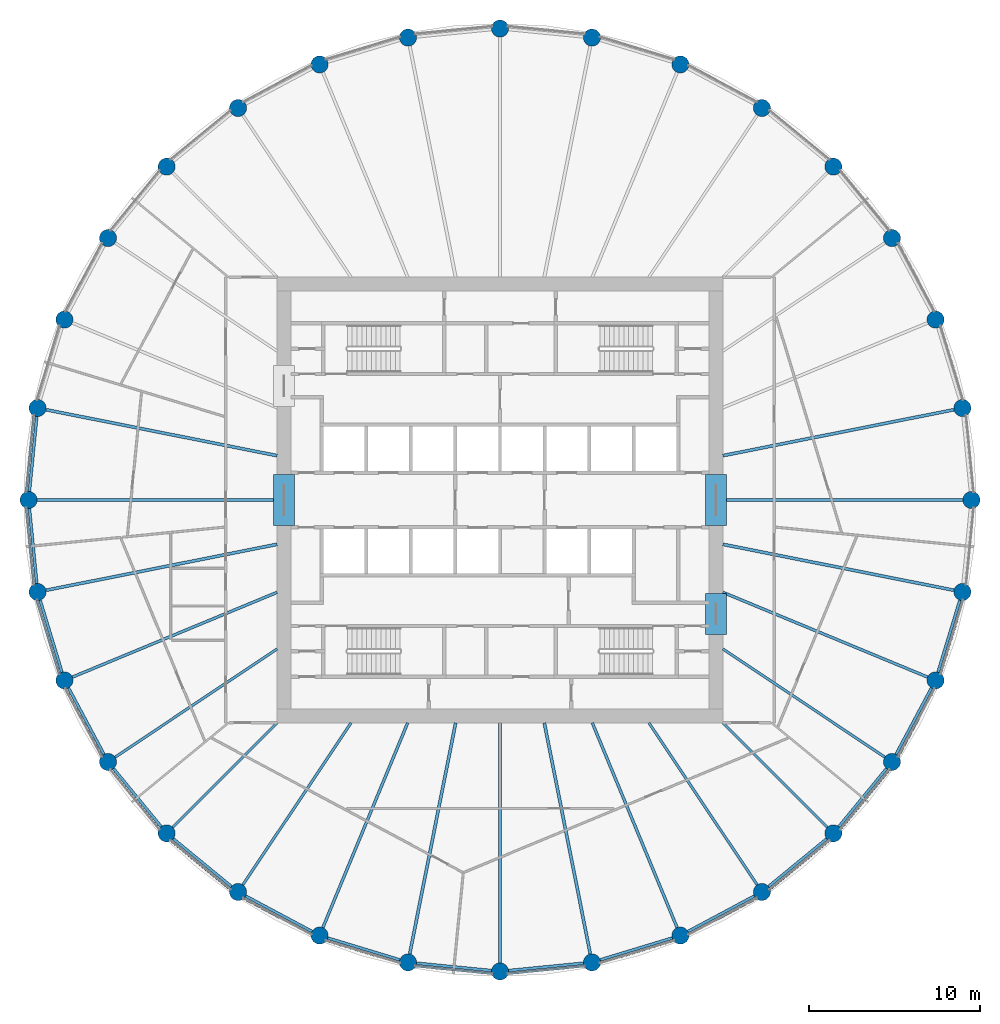
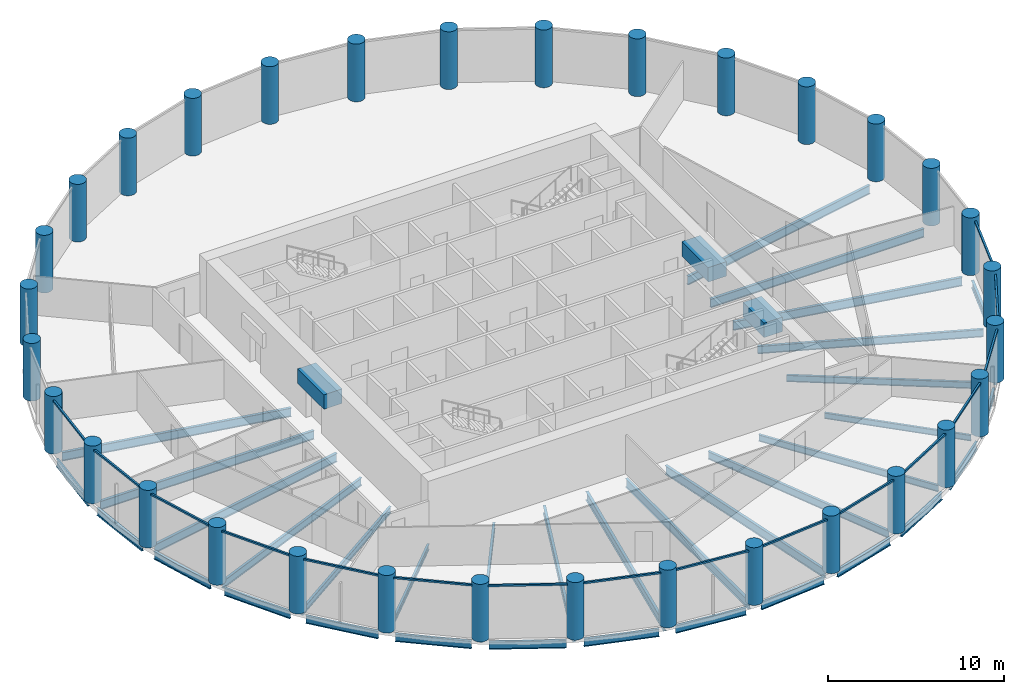
# One storey, part 1 of 9: 38 beams, 32 columns, 16 members, 16 elements without a shape of their own.
"""IFC4 building model written with IfcOpenShell, lengths in metres."""

from ifc_helpers import new_model, si_unit, direction, frame, origin, origin_2d, place, context, subcontext, project, spatial, rectangle, circle, i_section, extrude, material, material_profile, profile_set, type_object, element, aggregate, save


model = new_model("IFC4")

# Units and contexts
model_context = context("Model", 3, precision=1e-05, world=origin(), true_north=direction((0.0, 1.0)))
body_context = subcontext(model_context, "Body", "Model", "MODEL_VIEW")
ifc_project = project(units=[si_unit("LENGTHUNIT", "METRE"), si_unit("AREAUNIT", "SQUARE_METRE"), si_unit("VOLUMEUNIT", "CUBIC_METRE"), si_unit("PLANEANGLEUNIT", "RADIAN"), si_unit("MASSUNIT", "GRAM", prefix="KILO")], contexts=[model_context])

# Site, building, storey
site_placement = place(None, origin())
site = spatial("IfcSite", under=ifc_project, at=site_placement, CompositionType="ELEMENT")
building_placement = place(site_placement, origin())
building = spatial("IfcBuilding", under=site, at=building_placement, Name="Corvane Civic Tower", CompositionType="ELEMENT")
storey_placement = place(building_placement, frame((0.0, 0.0, 221.5)))
storey = spatial("IfcBuildingStorey", under=building, at=storey_placement, Name="L52", CompositionType="ELEMENT", Elevation=221.5)

# Columns
ifc_material_1 = material(Name="Concrete C60/75", Category="concrete")
ifc_material_profile_1 = material_profile(ifc_material_1, circle(Radius=0.5, at=origin_2d()), Name="COLUMN 1000")
ifc_profile_set_1 = profile_set([ifc_material_profile_1], Name="Concrete C60/75")
column_type = type_object("IfcColumnType", Name="RC COLUMN COLUMN 1000", PredefinedType="COLUMN", material=ifc_profile_set_1)
for number, where, z_axis, x_axis, name in (
    (1, (0.0, 27.5, 0.0), (0.0, 0.0, 1.0), (1.0, 0.0, 0.0), "COL-L52-D01"),
    (2, (5.364990234375, 26.9716796875, 0.0), (0.0, 0.0, 1.0), (1.0, 0.0, 0.0), "COL-L52-D02"),
    (3, (10.523681640625, 25.40673828125, 0.0), (0.0, 0.0, 1.0), (1.0, 0.0, 0.0), "COL-L52-D03"),
    (4, (15.278076171875, 22.865478515625, 0.0), (0.0, 0.0, 1.0), (1.0, 0.0, 0.0), "COL-L52-D04"),
    (5, (19.445556640625, 19.445556640625, 0.0), (0.0, 0.0, 1.0), (1.0, 0.0, 0.0), "COL-L52-D05"),
    (6, (22.865478515625, 15.278076171875, 0.0), (0.0, 0.0, 1.0), (1.0, 0.0, 0.0), "COL-L52-D06"),
    (7, (25.40673828125, 10.523681640625, 0.0), (0.0, 0.0, 1.0), (1.0, 0.0, 0.0), "COL-L52-D07"),
    (8, (26.9716796875, 5.364990234375, 0.0), (0.0, 0.0, 1.0), (1.0, 0.0, 0.0), "COL-L52-D08"),
    (9, (27.5, 0.0, 0.0), (0.0, 0.0, 1.0), (1.0, 0.0, 0.0), "COL-L52-D09"),
    (10, (26.9716796875, -5.364990234375, 0.0), (0.0, 0.0, 1.0), (1.0, 0.0, 0.0), "COL-L52-D10"),
    (11, (25.40673828125, -10.523681640625, 0.0), (0.0, 0.0, 1.0), (1.0, 0.0, 0.0), "COL-L52-D11"),
    (12, (22.865478515625, -15.278076171875, 0.0), (0.0, 0.0, 1.0), (1.0, 0.0, 0.0), "COL-L52-D12"),
    (13, (19.445556640625, -19.445556640625, 0.0), (0.0, 0.0, 1.0), (1.0, 0.0, 0.0), "COL-L52-D13"),
    (14, (15.278076171875, -22.865478515625, 0.0), (0.0, 0.0, 1.0), (1.0, 0.0, 0.0), "COL-L52-D14"),
    (15, (10.523681640625, -25.40673828125, 0.0), (0.0, 0.0, 1.0), (1.0, 0.0, 0.0), "COL-L52-D15"),
    (16, (5.364990234375, -26.9716796875, 0.0), (0.0, 0.0, 1.0), (1.0, 0.0, 0.0), "COL-L52-D16"),
    (17, (0.0, -27.5, 0.0), (0.0, 0.0, 1.0), (1.0, 0.0, 0.0), "COL-L52-D17"),
    (18, (-5.364990234375, -26.9716796875, 0.0), (0.0, 0.0, 1.0), (1.0, 0.0, 0.0), "COL-L52-D18"),
    (19, (-10.523681640625, -25.40673828125, 0.0), (0.0, 0.0, 1.0), (1.0, 0.0, 0.0), "COL-L52-D19"),
    (20, (-15.278076171875, -22.865478515625, 0.0), (0.0, 0.0, 1.0), (1.0, 0.0, 0.0), "COL-L52-D20"),
    (21, (-19.445556640625, -19.445556640625, 0.0), (0.0, 0.0, 1.0), (1.0, 0.0, 0.0), "COL-L52-D21"),
    (22, (-22.865478515625, -15.278076171875, 0.0), (0.0, 0.0, 1.0), (1.0, 0.0, 0.0), "COL-L52-D22"),
    (23, (-25.40673828125, -10.523681640625, 0.0), (0.0, 0.0, 1.0), (1.0, 0.0, 0.0), "COL-L52-D23"),
    (24, (-26.9716796875, -5.364990234375, 0.0), (0.0, 0.0, 1.0), (1.0, 0.0, 0.0), "COL-L52-D24"),
    (25, (-27.5, 0.0, 0.0), (0.0, 0.0, 1.0), (1.0, 0.0, 0.0), "COL-L52-D25"),
    (26, (-26.9716796875, 5.364990234375, 0.0), (0.0, 0.0, 1.0), (1.0, 0.0, 0.0), "COL-L52-D26"),
    (27, (-25.40673828125, 10.523681640625, 0.0), (0.0, 0.0, 1.0), (1.0, 0.0, 0.0), "COL-L52-D27"),
    (28, (-22.865478515625, 15.278076171875, 0.0), (0.0, 0.0, 1.0), (1.0, 0.0, 0.0), "COL-L52-D28"),
    (29, (-19.445556640625, 19.445556640625, 0.0), (0.0, 0.0, 1.0), (1.0, 0.0, 0.0), "COL-L52-D29"),
    (30, (-15.278076171875, 22.865478515625, 0.0), (0.0, 0.0, 1.0), (1.0, 0.0, 0.0), "COL-L52-D30"),
    (31, (-10.523681640625, 25.40673828125, 0.0), (0.0, 0.0, 1.0), (1.0, 0.0, 0.0), "COL-L52-D31"),
    (32, (-5.364990234375, 26.9716796875, 0.0), (0.0, 0.0, 1.0), (1.0, 0.0, 0.0), "COL-L52-D32"),
):
    element("IfcColumn", number, at=place(storey_placement, frame(where, z_axis=z_axis, x_axis=x_axis)), inside=storey, type_object=column_type, Name=name, PredefinedType="COLUMN", context=body_context, shape_type="SweptSolid", body=[
        extrude(circle(Radius=0.5, at=origin_2d()), origin(), (0.0, 0.0, 1.0), 4.0),
    ])

# Beams
ifc_material_2 = material(Name="Concrete C50/60", Category="concrete")
ifc_material_profile_2 = material_profile(ifc_material_2, rectangle(XDim=1.199951171875, YDim=1.0, at=origin_2d()), Name="COUPLING BEAM 1200X1000")
ifc_profile_set_2 = profile_set([ifc_material_profile_2], Name="Concrete C50/60")
beam_type_1 = type_object("IfcBeamType", Name="COUPLING BEAM COUPLING BEAM 1200X1000", PredefinedType="BEAM", material=ifc_profile_set_2)
for number, where, z_axis, x_axis, name in (
    (33, (-12.60009765625, -1.5, 2.60009765625), (0.0, 1.0, 0.0), (-1.0, 0.0, 0.0), "BM-L52-cpl-CW-LW"),
    (34, (12.60009765625, -1.5, 2.60009765625), (0.0, 1.0, 0.0), (-1.0, 0.0, 0.0), "BM-L52-cpl-CW-LE"),
):
    element("IfcBeam", number, at=place(storey_placement, frame(where, z_axis=z_axis, x_axis=x_axis)), inside=storey, type_object=beam_type_1, Name=name, PredefinedType="BEAM", context=body_context, shape_type="SweptSolid", body=[
        extrude(rectangle(XDim=1.199951171875, YDim=1.0, at=origin_2d()), origin(), (0.0, 0.0, 1.0), 3.0),
    ])
beam_1_placement = place(storey_placement, frame((12.60009765625, -7.85009765625, 2.60009765625), z_axis=(0.0, 1.0, 0.0), x_axis=(-1.0, 0.0, 0.0)))
element("IfcBeam", 35, at=beam_1_placement, inside=storey, type_object=beam_type_1, Name="BM-L52-cpl-CW-ES", PredefinedType="BEAM", context=body_context, shape_type="SweptSolid", body=[
    extrude(rectangle(XDim=1.199951171875, YDim=1.0, at=origin_2d()), origin(), (0.0, 0.0, 1.0), 2.400146484375),
])
ifc_material_3 = material(Name="Steel ASTM A992 Gr 50", Category="steel")
ifc_material_profile_3 = material_profile(ifc_material_3, i_section(OverallWidth=0.165771484375, OverallDepth=0.5283203125, WebThickness=0.009765625, FlangeThickness=0.013671875, at=origin_2d()), Name="W21X50")
ifc_profile_set_3 = profile_set([ifc_material_profile_3], Name="Steel ASTM A992 Gr 50")
beam_type_2 = type_object("IfcBeamType", Name="EDGE BEAM W21X50", PredefinedType="BEAM", material=ifc_profile_set_3)
beam_2_placement = place(storey_placement, frame((26.826416015625, -5.843505859375, -0.564208984375), z_axis=(-0.290254307888, -0.956949547653, 0.0), x_axis=(0.956949547653, -0.290254307888, 0.0)))
element("IfcBeam", 36, at=beam_2_placement, inside=storey, type_object=beam_type_2, Name="BM-L52-E10", PredefinedType="BEAM", context=body_context, shape_type="SweptSolid", body=[
    extrude(i_section(OverallWidth=0.165771484375, OverallDepth=0.5283203125, WebThickness=0.009765625, FlangeThickness=0.013671875, at=origin_2d()), origin(), (0.0, 0.0, 1.0), 4.390625),
])
for number, where, z_axis, x_axis, name in (
    (37, (25.171142578125, -10.964599609375, -0.564208984375), (-0.471422006704, -0.881907756852, 0.0), (0.881907756852, -0.471422006704, 0.0), "BM-L52-E11"),
    (38, (22.54833984375, -15.66455078125, -0.564208984375), (-0.634369433447, -0.773030026524, 0.0), (0.773030026524, -0.634369433447, 0.0), "BM-L52-E12"),
    (39, (19.05908203125, -19.7626953125, -0.564208984375), (-0.773030026524, -0.634369433447, 0.0), (0.634369433447, -0.773030026524, 0.0), "BM-L52-E13"),
    (40, (14.837158203125, -23.10107421875, -0.564208984375), (-0.881907756852, -0.471422006704, 0.0), (0.471422006704, -0.881907756852, 0.0), "BM-L52-E14"),
):
    element("IfcBeam", number, at=place(storey_placement, frame(where, z_axis=z_axis, x_axis=x_axis)), inside=storey, type_object=beam_type_2, Name=name, PredefinedType="BEAM", context=body_context, shape_type="SweptSolid", body=[
        extrude(i_section(OverallWidth=0.165771484375, OverallDepth=0.5283203125, WebThickness=0.009765625, FlangeThickness=0.013671875, at=origin_2d()), origin(), (0.0, 0.0, 1.0), 4.39111328125),
    ])
beam_3_placement = place(storey_placement, frame((10.045166015625, -25.552001953125, -0.564208984375), z_axis=(-0.956949547653, -0.290254307888, 0.0), x_axis=(0.290254307888, -0.956949547653, 0.0)))
element("IfcBeam", 41, at=beam_3_placement, inside=storey, type_object=beam_type_2, Name="BM-L52-E15", PredefinedType="BEAM", context=body_context, shape_type="SweptSolid", body=[
    extrude(i_section(OverallWidth=0.165771484375, OverallDepth=0.5283203125, WebThickness=0.009765625, FlangeThickness=0.013671875, at=origin_2d()), origin(), (0.0, 0.0, 1.0), 4.390625),
])
for number, where, z_axis, x_axis, name in (
    (42, (4.867431640625, -27.020751953125, -0.564208984375), (-0.995189593769, -0.097967711281, 0.0), (0.097967711281, -0.995189593769, 0.0), "BM-L52-E16"),
    (43, (-0.49755859375, -27.450927734375, -0.564208984375), (-0.995189593769, 0.097967711281, 0.0), (-0.097967711281, -0.995189593769, 0.0), "BM-L52-E17"),
):
    element("IfcBeam", number, at=place(storey_placement, frame(where, z_axis=z_axis, x_axis=x_axis)), inside=storey, type_object=beam_type_2, Name=name, PredefinedType="BEAM", context=body_context, shape_type="SweptSolid", body=[
        extrude(i_section(OverallWidth=0.165771484375, OverallDepth=0.5283203125, WebThickness=0.009765625, FlangeThickness=0.013671875, at=origin_2d()), origin(), (0.0, 0.0, 1.0), 4.39111328125),
    ])
beam_4_placement = place(storey_placement, frame((-5.843505859375, -26.826416015625, -0.564208984375), z_axis=(-0.956949547653, 0.290254307888, 0.0), x_axis=(-0.290254307888, -0.956949547653, 0.0)))
element("IfcBeam", 44, at=beam_4_placement, inside=storey, type_object=beam_type_2, Name="BM-L52-E18", PredefinedType="BEAM", context=body_context, shape_type="SweptSolid", body=[
    extrude(i_section(OverallWidth=0.165771484375, OverallDepth=0.5283203125, WebThickness=0.009765625, FlangeThickness=0.013671875, at=origin_2d()), origin(), (0.0, 0.0, 1.0), 4.390625),
])
for number, where, z_axis, x_axis, name in (
    (45, (-10.964599609375, -25.171142578125, -0.564208984375), (-0.881907756852, 0.471422006704, 0.0), (-0.471422006704, -0.881907756852, 0.0), "BM-L52-E19"),
    (46, (-15.66455078125, -22.54833984375, -0.564208984375), (-0.773030026524, 0.634369433447, 0.0), (-0.634369433447, -0.773030026524, 0.0), "BM-L52-E20"),
    (47, (-19.7626953125, -19.05908203125, -0.564208984375), (-0.634369433447, 0.773030026524, 0.0), (-0.773030026524, -0.634369433447, 0.0), "BM-L52-E21"),
    (48, (-23.10107421875, -14.837158203125, -0.564208984375), (-0.471422006704, 0.881907756852, 0.0), (-0.881907756852, -0.471422006704, 0.0), "BM-L52-E22"),
):
    element("IfcBeam", number, at=place(storey_placement, frame(where, z_axis=z_axis, x_axis=x_axis)), inside=storey, type_object=beam_type_2, Name=name, PredefinedType="BEAM", context=body_context, shape_type="SweptSolid", body=[
        extrude(i_section(OverallWidth=0.165771484375, OverallDepth=0.5283203125, WebThickness=0.009765625, FlangeThickness=0.013671875, at=origin_2d()), origin(), (0.0, 0.0, 1.0), 4.39111328125),
    ])
beam_5_placement = place(storey_placement, frame((-25.552001953125, -10.045166015625, -0.564208984375), z_axis=(-0.290254307888, 0.956949547653, 0.0), x_axis=(-0.956949547653, -0.290254307888, 0.0)))
element("IfcBeam", 49, at=beam_5_placement, inside=storey, type_object=beam_type_2, Name="BM-L52-E23", PredefinedType="BEAM", context=body_context, shape_type="SweptSolid", body=[
    extrude(i_section(OverallWidth=0.165771484375, OverallDepth=0.5283203125, WebThickness=0.009765625, FlangeThickness=0.013671875, at=origin_2d()), origin(), (0.0, 0.0, 1.0), 4.390625),
])
for number, where, z_axis, x_axis, name in (
    (50, (-27.020751953125, -4.867431640625, -0.564208984375), (-0.097967711281, 0.995189593769, 0.0), (-0.995189593769, -0.097967711281, 0.0), "BM-L52-E24"),
    (51, (-27.450927734375, 0.49755859375, -0.564208984375), (0.097967711281, 0.995189593769, 0.0), (-0.995189593769, 0.097967711281, 0.0), "BM-L52-E25"),
):
    element("IfcBeam", number, at=place(storey_placement, frame(where, z_axis=z_axis, x_axis=x_axis)), inside=storey, type_object=beam_type_2, Name=name, PredefinedType="BEAM", context=body_context, shape_type="SweptSolid", body=[
        extrude(i_section(OverallWidth=0.165771484375, OverallDepth=0.5283203125, WebThickness=0.009765625, FlangeThickness=0.013671875, at=origin_2d()), origin(), (0.0, 0.0, 1.0), 4.39111328125),
    ])
ifc_material_4 = material(Name="Steel ASTM A992 Gr 50", Category="steel")
ifc_material_profile_4 = material_profile(ifc_material_4, i_section(OverallWidth=0.140380859375, OverallDepth=0.40380859375, WebThickness=0.007080078125, FlangeThickness=0.01123046875, at=origin_2d()), Name="W16X31")
ifc_profile_set_4 = profile_set([ifc_material_profile_4], Name="Steel ASTM A992 Gr 50")
beam_type_3 = type_object("IfcBeamType", Name="FLOOR GIRDER W16X31", PredefinedType="BEAM", material=ifc_profile_set_4)
for number, where, z_axis, x_axis, name in (
    (52, (13.0, -13.0, -0.501953125), (0.707106781187, -0.707106781187, 0.0), (0.707106781187, 0.707106781187, 0.0), "BM-L52-G13"),
    (53, (-13.0, -13.0, -0.501953125), (-0.707106781187, -0.707106781187, 0.0), (0.707106781187, -0.707106781187, 0.0), "BM-L52-G21"),
):
    element("IfcBeam", number, at=place(storey_placement, frame(where, z_axis=z_axis, x_axis=x_axis)), inside=storey, type_object=beam_type_3, Name=name, PredefinedType="BEAM", context=body_context, shape_type="SweptSolid", body=[
        extrude(i_section(OverallWidth=0.140380859375, OverallDepth=0.40380859375, WebThickness=0.007080078125, FlangeThickness=0.01123046875, at=origin_2d()), origin(), (0.0, 0.0, 1.0), 8.614990234375),
    ])
ifc_material_5 = material(Name="Steel ASTM A992 Gr 50", Category="steel")
ifc_material_profile_5 = material_profile(ifc_material_5, i_section(OverallWidth=0.15283203125, OverallDepth=0.45458984375, WebThickness=0.008056640625, FlangeThickness=0.013427734375, at=origin_2d()), Name="W18X40")
ifc_profile_set_5 = profile_set([ifc_material_profile_5], Name="Steel ASTM A992 Gr 50")
beam_type_4 = type_object("IfcBeamType", Name="FLOOR GIRDER W18X40", PredefinedType="BEAM", material=ifc_profile_set_5)
for number, where, z_axis, x_axis, name in (
    (54, (13.0, -8.686279296875, -0.52734375), (0.831464872557, -0.555577326485, 0.0), (0.555577326485, 0.831464872557, 0.0), "BM-L52-G12"),
    (55, (8.686279296875, -13.0, -0.52734375), (0.555577326485, -0.831464872557, 0.0), (0.831464872557, 0.555577326485, 0.0), "BM-L52-G14"),
    (56, (-8.686279296875, -13.0, -0.52734375), (-0.555577326485, -0.831464872557, 0.0), (0.831464872557, -0.555577326485, 0.0), "BM-L52-G20"),
    (57, (-13.0, -8.686279296875, -0.52734375), (-0.831464872557, -0.555577326485, 0.0), (0.555577326485, -0.831464872557, 0.0), "BM-L52-G22"),
):
    element("IfcBeam", number, at=place(storey_placement, frame(where, z_axis=z_axis, x_axis=x_axis)), inside=storey, type_object=beam_type_4, Name=name, PredefinedType="BEAM", context=body_context, shape_type="SweptSolid", body=[
        extrude(i_section(OverallWidth=0.15283203125, OverallDepth=0.45458984375, WebThickness=0.008056640625, FlangeThickness=0.013427734375, at=origin_2d()), origin(), (0.0, 0.0, 1.0), 11.365234375),
    ])
ifc_material_6 = material(Name="Steel ASTM A992 Gr 50", Category="steel")
ifc_material_profile_6 = material_profile(ifc_material_6, i_section(OverallWidth=0.165771484375, OverallDepth=0.5283203125, WebThickness=0.009765625, FlangeThickness=0.013671875, at=origin_2d()), Name="W21X50")
ifc_profile_set_6 = profile_set([ifc_material_profile_6], Name="Steel ASTM A992 Gr 50")
beam_type_5 = type_object("IfcBeamType", Name="FLOOR GIRDER W21X50", PredefinedType="BEAM", material=ifc_profile_set_6)
for number, where, z_axis, x_axis, name in (
    (58, (13.0, -5.384765625, -0.564208984375), (0.923878282404, -0.382686450378, 0.0), (0.382686450378, 0.923878282404, 0.0), "BM-L52-G11"),
    (59, (5.384765625, -13.0, -0.564208984375), (0.382686450378, -0.923878282404, 0.0), (0.923878282404, 0.382686450378, 0.0), "BM-L52-G15"),
    (60, (-5.384765625, -13.0, -0.564208984375), (-0.382686450378, -0.923878282404, 0.0), (0.923878282404, -0.382686450378, 0.0), "BM-L52-G19"),
    (61, (-13.0, -5.384765625, -0.564208984375), (-0.923878282404, -0.382686450378, 0.0), (0.382686450378, -0.923878282404, 0.0), "BM-L52-G23"),
):
    element("IfcBeam", number, at=place(storey_placement, frame(where, z_axis=z_axis, x_axis=x_axis)), inside=storey, type_object=beam_type_5, Name=name, PredefinedType="BEAM", context=body_context, shape_type="SweptSolid", body=[
        extrude(i_section(OverallWidth=0.165771484375, OverallDepth=0.5283203125, WebThickness=0.009765625, FlangeThickness=0.013671875, at=origin_2d()), origin(), (0.0, 0.0, 1.0), 12.928955078125),
    ])
ifc_material_7 = material(Name="Steel ASTM A992 Gr 50", Category="steel")
ifc_material_profile_7 = material_profile(ifc_material_7, i_section(OverallWidth=0.177978515625, OverallDepth=0.599365234375, WebThickness=0.010009765625, FlangeThickness=0.012939453125, at=origin_2d()), Name="W24X55")
ifc_profile_set_7 = profile_set([ifc_material_profile_7], Name="Steel ASTM A992 Gr 50")
beam_type_6 = type_object("IfcBeamType", Name="FLOOR GIRDER W24X55", PredefinedType="BEAM", material=ifc_profile_set_7)
beam_6_placement = place(storey_placement, frame((13.0, 2.5859375, -0.599609375), z_axis=(0.980787802109, 0.195077644118, 0.0), x_axis=(-0.195077644118, 0.980787802109, 0.0)))
element("IfcBeam", 62, at=beam_6_placement, inside=storey, type_object=beam_type_6, Name="BM-L52-G08", PredefinedType="BEAM", context=body_context, shape_type="SweptSolid", body=[
    extrude(i_section(OverallWidth=0.177978515625, OverallDepth=0.599365234375, WebThickness=0.010009765625, FlangeThickness=0.012939453125, at=origin_2d()), origin(), (0.0, 0.0, 1.0), 13.745361328125),
])
beam_7_placement = place(storey_placement, frame((13.0, 0.0, -0.599609375), z_axis=(1.0, 0.0, 0.0), x_axis=(0.0, 1.0, 0.0)))
element("IfcBeam", 63, at=beam_7_placement, inside=storey, type_object=beam_type_6, Name="BM-L52-G09", PredefinedType="BEAM", context=body_context, shape_type="SweptSolid", body=[
    extrude(i_section(OverallWidth=0.177978515625, OverallDepth=0.599365234375, WebThickness=0.010009765625, FlangeThickness=0.012939453125, at=origin_2d()), origin(), (0.0, 0.0, 1.0), 14.0),
])
for number, where, z_axis, x_axis, name in (
    (64, (13.0, -2.5859375, -0.599609375), (0.980787802109, -0.195077644118, 0.0), (0.195077644118, 0.980787802109, 0.0), "BM-L52-G10"),
    (65, (2.5859375, -13.0, -0.599609375), (0.195077644118, -0.980787802109, 0.0), (0.980787802109, 0.195077644118, 0.0), "BM-L52-G16"),
):
    element("IfcBeam", number, at=place(storey_placement, frame(where, z_axis=z_axis, x_axis=x_axis)), inside=storey, type_object=beam_type_6, Name=name, PredefinedType="BEAM", context=body_context, shape_type="SweptSolid", body=[
        extrude(i_section(OverallWidth=0.177978515625, OverallDepth=0.599365234375, WebThickness=0.010009765625, FlangeThickness=0.012939453125, at=origin_2d()), origin(), (0.0, 0.0, 1.0), 13.745361328125),
    ])
beam_8_placement = place(storey_placement, frame((0.0, -13.0, -0.599609375), z_axis=(0.0, -1.0, 0.0), x_axis=(1.0, 0.0, 0.0)))
element("IfcBeam", 66, at=beam_8_placement, inside=storey, type_object=beam_type_6, Name="BM-L52-G17", PredefinedType="BEAM", context=body_context, shape_type="SweptSolid", body=[
    extrude(i_section(OverallWidth=0.177978515625, OverallDepth=0.599365234375, WebThickness=0.010009765625, FlangeThickness=0.012939453125, at=origin_2d()), origin(), (0.0, 0.0, 1.0), 14.0),
])
for number, where, z_axis, x_axis, name in (
    (67, (-2.5859375, -13.0, -0.599609375), (-0.195077644118, -0.980787802109, 0.0), (0.980787802109, -0.195077644118, 0.0), "BM-L52-G18"),
    (68, (-13.0, -2.5859375, -0.599609375), (-0.980787802109, -0.195077644118, 0.0), (0.195077644118, -0.980787802109, 0.0), "BM-L52-G24"),
):
    element("IfcBeam", number, at=place(storey_placement, frame(where, z_axis=z_axis, x_axis=x_axis)), inside=storey, type_object=beam_type_6, Name=name, PredefinedType="BEAM", context=body_context, shape_type="SweptSolid", body=[
        extrude(i_section(OverallWidth=0.177978515625, OverallDepth=0.599365234375, WebThickness=0.010009765625, FlangeThickness=0.012939453125, at=origin_2d()), origin(), (0.0, 0.0, 1.0), 13.745361328125),
    ])
beam_9_placement = place(storey_placement, frame((-13.0, 0.0, -0.599609375), z_axis=(-1.0, 0.0, 0.0), x_axis=(0.0, -1.0, 0.0)))
element("IfcBeam", 69, at=beam_9_placement, inside=storey, type_object=beam_type_6, Name="BM-L52-G25", PredefinedType="BEAM", context=body_context, shape_type="SweptSolid", body=[
    extrude(i_section(OverallWidth=0.177978515625, OverallDepth=0.599365234375, WebThickness=0.010009765625, FlangeThickness=0.012939453125, at=origin_2d()), origin(), (0.0, 0.0, 1.0), 14.0),
])
beam_10_placement = place(storey_placement, frame((-13.0, 2.5859375, -0.599609375), z_axis=(-0.980787802109, 0.195077644118, 0.0), x_axis=(-0.195077644118, -0.980787802109, 0.0)))
element("IfcBeam", 70, at=beam_10_placement, inside=storey, type_object=beam_type_6, Name="BM-L52-G26", PredefinedType="BEAM", context=body_context, shape_type="SweptSolid", body=[
    extrude(i_section(OverallWidth=0.177978515625, OverallDepth=0.599365234375, WebThickness=0.010009765625, FlangeThickness=0.012939453125, at=origin_2d()), origin(), (0.0, 0.0, 1.0), 13.745361328125),
])

# Curtain wall, member
ifc_material_8 = material(Name="Anodised aluminium bronze", Category="aluminium")
curtain_wall_type = type_object("IfcCurtainWallType", Name="TOWER CW-T2 STICK CURTAIN WALL", PredefinedType="NOTDEFINED", material=ifc_material_8)
curtain_wall_1_placement = place(storey_placement, origin())
curtain_wall_1 = element("IfcCurtainWall", 71, at=curtain_wall_1_placement, inside=storey, type_object=curtain_wall_type, Name="Curtain wall CW-T2 L52 bay 10", PredefinedType="NOTDEFINED")
ifc_material_9 = material(Name="Anodised aluminium bronze", Category="aluminium")
ifc_material_profile_8 = material_profile(ifc_material_9, rectangle(XDim=0.1201171875, YDim=0.1201171875, at=origin_2d()), Name="TOWER CW-T2 TRANSOM 120x120")
ifc_profile_set_8 = profile_set([ifc_material_profile_8], Name="Anodised aluminium bronze")
member_type = type_object("IfcMemberType", Name="TOWER CW-T2 TRANSOM 120x120", PredefinedType="USERDEFINED", material=ifc_profile_set_8)
member_1_placement = place(storey_placement, frame((27.016357421875, -5.8349609375, 3.68994140625), z_axis=(-0.2902818869, -0.956941182173, 0.0), x_axis=(0.956941182173, -0.2902818869, 0.0)))
member_1 = element("IfcMember", 72, at=member_1_placement, type_object=member_type, Name="Transom CW-T2 L52 10.1", ObjectType="TRANSOM", PredefinedType="USERDEFINED", context=body_context, shape_type="SweptSolid", body=[
    extrude(rectangle(XDim=0.1201171875, YDim=0.1201171875, at=origin_2d()), origin(), (0.0, 0.0, 1.0), 4.517333984375),
])
aggregate(curtain_wall_1, [member_1])

curtain_wall_2_placement = place(storey_placement, origin())
curtain_wall_2 = element("IfcCurtainWall", 73, at=curtain_wall_2_placement, inside=storey, type_object=curtain_wall_type, Name="Curtain wall CW-T2 L52 bay 11", PredefinedType="NOTDEFINED")
member_2_placement = place(storey_placement, frame((25.35888671875, -10.993408203125, 3.68994140625), z_axis=(-0.471390317183, -0.881924695689, 0.0), x_axis=(0.881924695689, -0.471390317183, 0.0)))
member_2 = element("IfcMember", 74, at=member_2_placement, type_object=member_type, Name="Transom CW-T2 L52 11.1", ObjectType="TRANSOM", PredefinedType="USERDEFINED", context=body_context, shape_type="SweptSolid", body=[
    extrude(rectangle(XDim=0.1201171875, YDim=0.1201171875, at=origin_2d()), origin(), (0.0, 0.0, 1.0), 4.517333984375),
])
aggregate(curtain_wall_2, [member_2])

curtain_wall_3_placement = place(storey_placement, origin())
curtain_wall_3 = element("IfcCurtainWall", 75, at=curtain_wall_3_placement, inside=storey, type_object=curtain_wall_type, Name="Curtain wall CW-T2 L52 bay 12", PredefinedType="NOTDEFINED")
member_3_placement = place(storey_placement, frame((22.726806640625, -15.7294921875, 3.68994140625), z_axis=(-0.634387834569, -0.773014925698, 0.0), x_axis=(0.773014925698, -0.634387834569, 0.0)))
member_3 = element("IfcMember", 76, at=member_3_placement, type_object=member_type, Name="Transom CW-T2 L52 12.1", ObjectType="TRANSOM", PredefinedType="USERDEFINED", context=body_context, shape_type="SweptSolid", body=[
    extrude(rectangle(XDim=0.1201171875, YDim=0.1201171875, at=origin_2d()), origin(), (0.0, 0.0, 1.0), 4.517333984375),
])
aggregate(curtain_wall_3, [member_3])

curtain_wall_4_placement = place(storey_placement, origin())
curtain_wall_4 = element("IfcCurtainWall", 77, at=curtain_wall_4_placement, inside=storey, type_object=curtain_wall_type, Name="Curtain wall CW-T2 L52 bay 13", PredefinedType="NOTDEFINED")
member_4_placement = place(storey_placement, frame((19.221435546875, -19.861083984375, 3.68994140625), z_axis=(-0.773014925698, -0.634387834569, 0.0), x_axis=(0.634387834569, -0.773014925698, 0.0)))
member_4 = element("IfcMember", 78, at=member_4_placement, type_object=member_type, Name="Transom CW-T2 L52 13.1", ObjectType="TRANSOM", PredefinedType="USERDEFINED", context=body_context, shape_type="SweptSolid", body=[
    extrude(rectangle(XDim=0.1201171875, YDim=0.1201171875, at=origin_2d()), origin(), (0.0, 0.0, 1.0), 4.517333984375),
])
aggregate(curtain_wall_4, [member_4])

curtain_wall_5_placement = place(storey_placement, origin())
curtain_wall_5 = element("IfcCurtainWall", 79, at=curtain_wall_5_placement, inside=storey, type_object=curtain_wall_type, Name="Curtain wall CW-T2 L52 bay 14", PredefinedType="NOTDEFINED")
member_5_placement = place(storey_placement, frame((14.977294921875, -23.2294921875, 3.68994140625), z_axis=(-0.881924695689, -0.471390317183, 0.0), x_axis=(0.471390317183, -0.881924695689, 0.0)))
member_5 = element("IfcMember", 80, at=member_5_placement, type_object=member_type, Name="Transom CW-T2 L52 14.1", ObjectType="TRANSOM", PredefinedType="USERDEFINED", context=body_context, shape_type="SweptSolid", body=[
    extrude(rectangle(XDim=0.1201171875, YDim=0.1201171875, at=origin_2d()), origin(), (0.0, 0.0, 1.0), 4.517333984375),
])
aggregate(curtain_wall_5, [member_5])

curtain_wall_6_placement = place(storey_placement, origin())
curtain_wall_6 = element("IfcCurtainWall", 81, at=curtain_wall_6_placement, inside=storey, type_object=curtain_wall_type, Name="Curtain wall CW-T2 L52 bay 15", PredefinedType="NOTDEFINED")
member_6_placement = place(storey_placement, frame((10.15771484375, -25.705078125, 3.68994140625), z_axis=(-0.956941182173, -0.2902818869, 0.0), x_axis=(0.2902818869, -0.956941182173, 0.0)))
member_6 = element("IfcMember", 82, at=member_6_placement, type_object=member_type, Name="Transom CW-T2 L52 15.1", ObjectType="TRANSOM", PredefinedType="USERDEFINED", context=body_context, shape_type="SweptSolid", body=[
    extrude(rectangle(XDim=0.1201171875, YDim=0.1201171875, at=origin_2d()), origin(), (0.0, 0.0, 1.0), 4.517333984375),
])
aggregate(curtain_wall_6, [member_6])

curtain_wall_7_placement = place(storey_placement, origin())
curtain_wall_7 = element("IfcCurtainWall", 83, at=curtain_wall_7_placement, inside=storey, type_object=curtain_wall_type, Name="Curtain wall CW-T2 L52 bay 16", PredefinedType="NOTDEFINED")
member_7_placement = place(storey_placement, frame((4.94775390625, -27.192626953125, 3.68994140625), z_axis=(-0.995182207386, -0.098042715701, 0.0), x_axis=(0.098042715701, -0.995182207386, 0.0)))
member_7 = element("IfcMember", 84, at=member_7_placement, type_object=member_type, Name="Transom CW-T2 L52 16.1", ObjectType="TRANSOM", PredefinedType="USERDEFINED", context=body_context, shape_type="SweptSolid", body=[
    extrude(rectangle(XDim=0.1201171875, YDim=0.1201171875, at=origin_2d()), origin(), (0.0, 0.0, 1.0), 4.51708984375),
])
aggregate(curtain_wall_7, [member_7])

curtain_wall_8_placement = place(storey_placement, origin())
curtain_wall_8 = element("IfcCurtainWall", 85, at=curtain_wall_8_placement, inside=storey, type_object=curtain_wall_type, Name="Curtain wall CW-T2 L52 bay 17", PredefinedType="NOTDEFINED")
member_8_placement = place(storey_placement, frame((-0.452392578125, -27.635498046875, 3.68994140625), z_axis=(-0.995182207386, 0.098042715701, 0.0), x_axis=(-0.098042715701, -0.995182207386, 0.0)))
member_8 = element("IfcMember", 86, at=member_8_placement, type_object=member_type, Name="Transom CW-T2 L52 17.1", ObjectType="TRANSOM", PredefinedType="USERDEFINED", context=body_context, shape_type="SweptSolid", body=[
    extrude(rectangle(XDim=0.1201171875, YDim=0.1201171875, at=origin_2d()), origin(), (0.0, 0.0, 1.0), 4.51708984375),
])
aggregate(curtain_wall_8, [member_8])

curtain_wall_9_placement = place(storey_placement, origin())
curtain_wall_9 = element("IfcCurtainWall", 87, at=curtain_wall_9_placement, inside=storey, type_object=curtain_wall_type, Name="Curtain wall CW-T2 L52 bay 18", PredefinedType="NOTDEFINED")
member_9_placement = place(storey_placement, frame((-5.8349609375, -27.016357421875, 3.68994140625), z_axis=(-0.956941182173, 0.2902818869, 0.0), x_axis=(-0.2902818869, -0.956941182173, 0.0)))
member_9 = element("IfcMember", 88, at=member_9_placement, type_object=member_type, Name="Transom CW-T2 L52 18.1", ObjectType="TRANSOM", PredefinedType="USERDEFINED", context=body_context, shape_type="SweptSolid", body=[
    extrude(rectangle(XDim=0.1201171875, YDim=0.1201171875, at=origin_2d()), origin(), (0.0, 0.0, 1.0), 4.517333984375),
])
aggregate(curtain_wall_9, [member_9])

curtain_wall_10_placement = place(storey_placement, origin())
curtain_wall_10 = element("IfcCurtainWall", 89, at=curtain_wall_10_placement, inside=storey, type_object=curtain_wall_type, Name="Curtain wall CW-T2 L52 bay 19", PredefinedType="NOTDEFINED")
member_10_placement = place(storey_placement, frame((-10.993408203125, -25.35888671875, 3.68994140625), z_axis=(-0.881924695689, 0.471390317183, 0.0), x_axis=(-0.471390317183, -0.881924695689, 0.0)))
member_10 = element("IfcMember", 90, at=member_10_placement, type_object=member_type, Name="Transom CW-T2 L52 19.1", ObjectType="TRANSOM", PredefinedType="USERDEFINED", context=body_context, shape_type="SweptSolid", body=[
    extrude(rectangle(XDim=0.1201171875, YDim=0.1201171875, at=origin_2d()), origin(), (0.0, 0.0, 1.0), 4.517333984375),
])
aggregate(curtain_wall_10, [member_10])

curtain_wall_11_placement = place(storey_placement, origin())
curtain_wall_11 = element("IfcCurtainWall", 91, at=curtain_wall_11_placement, inside=storey, type_object=curtain_wall_type, Name="Curtain wall CW-T2 L52 bay 20", PredefinedType="NOTDEFINED")
member_11_placement = place(storey_placement, frame((-15.7294921875, -22.726806640625, 3.68994140625), z_axis=(-0.773014925698, 0.634387834569, 0.0), x_axis=(-0.634387834569, -0.773014925698, 0.0)))
member_11 = element("IfcMember", 92, at=member_11_placement, type_object=member_type, Name="Transom CW-T2 L52 20.1", ObjectType="TRANSOM", PredefinedType="USERDEFINED", context=body_context, shape_type="SweptSolid", body=[
    extrude(rectangle(XDim=0.1201171875, YDim=0.1201171875, at=origin_2d()), origin(), (0.0, 0.0, 1.0), 4.517333984375),
])
aggregate(curtain_wall_11, [member_11])

curtain_wall_12_placement = place(storey_placement, origin())
curtain_wall_12 = element("IfcCurtainWall", 93, at=curtain_wall_12_placement, inside=storey, type_object=curtain_wall_type, Name="Curtain wall CW-T2 L52 bay 21", PredefinedType="NOTDEFINED")
member_12_placement = place(storey_placement, frame((-19.861083984375, -19.221435546875, 3.68994140625), z_axis=(-0.634387834569, 0.773014925698, 0.0), x_axis=(-0.773014925698, -0.634387834569, 0.0)))
member_12 = element("IfcMember", 94, at=member_12_placement, type_object=member_type, Name="Transom CW-T2 L52 21.1", ObjectType="TRANSOM", PredefinedType="USERDEFINED", context=body_context, shape_type="SweptSolid", body=[
    extrude(rectangle(XDim=0.1201171875, YDim=0.1201171875, at=origin_2d()), origin(), (0.0, 0.0, 1.0), 4.517333984375),
])
aggregate(curtain_wall_12, [member_12])

curtain_wall_13_placement = place(storey_placement, origin())
curtain_wall_13 = element("IfcCurtainWall", 95, at=curtain_wall_13_placement, inside=storey, type_object=curtain_wall_type, Name="Curtain wall CW-T2 L52 bay 22", PredefinedType="NOTDEFINED")
member_13_placement = place(storey_placement, frame((-23.2294921875, -14.977294921875, 3.68994140625), z_axis=(-0.471390317183, 0.881924695689, 0.0), x_axis=(-0.881924695689, -0.471390317183, 0.0)))
member_13 = element("IfcMember", 96, at=member_13_placement, type_object=member_type, Name="Transom CW-T2 L52 22.1", ObjectType="TRANSOM", PredefinedType="USERDEFINED", context=body_context, shape_type="SweptSolid", body=[
    extrude(rectangle(XDim=0.1201171875, YDim=0.1201171875, at=origin_2d()), origin(), (0.0, 0.0, 1.0), 4.517333984375),
])
aggregate(curtain_wall_13, [member_13])

curtain_wall_14_placement = place(storey_placement, origin())
curtain_wall_14 = element("IfcCurtainWall", 97, at=curtain_wall_14_placement, inside=storey, type_object=curtain_wall_type, Name="Curtain wall CW-T2 L52 bay 23", PredefinedType="NOTDEFINED")
member_14_placement = place(storey_placement, frame((-25.705078125, -10.15771484375, 3.68994140625), z_axis=(-0.2902818869, 0.956941182173, 0.0), x_axis=(-0.956941182173, -0.2902818869, 0.0)))
member_14 = element("IfcMember", 98, at=member_14_placement, type_object=member_type, Name="Transom CW-T2 L52 23.1", ObjectType="TRANSOM", PredefinedType="USERDEFINED", context=body_context, shape_type="SweptSolid", body=[
    extrude(rectangle(XDim=0.1201171875, YDim=0.1201171875, at=origin_2d()), origin(), (0.0, 0.0, 1.0), 4.517333984375),
])
aggregate(curtain_wall_14, [member_14])

curtain_wall_15_placement = place(storey_placement, origin())
curtain_wall_15 = element("IfcCurtainWall", 99, at=curtain_wall_15_placement, inside=storey, type_object=curtain_wall_type, Name="Curtain wall CW-T2 L52 bay 24", PredefinedType="NOTDEFINED")
member_15_placement = place(storey_placement, frame((-27.192626953125, -4.94775390625, 3.68994140625), z_axis=(-0.098042715701, 0.995182207386, 0.0), x_axis=(-0.995182207386, -0.098042715701, 0.0)))
member_15 = element("IfcMember", 100, at=member_15_placement, type_object=member_type, Name="Transom CW-T2 L52 24.1", ObjectType="TRANSOM", PredefinedType="USERDEFINED", context=body_context, shape_type="SweptSolid", body=[
    extrude(rectangle(XDim=0.1201171875, YDim=0.1201171875, at=origin_2d()), origin(), (0.0, 0.0, 1.0), 4.51708984375),
])
aggregate(curtain_wall_15, [member_15])

curtain_wall_16_placement = place(storey_placement, origin())
curtain_wall_16 = element("IfcCurtainWall", 101, at=curtain_wall_16_placement, inside=storey, type_object=curtain_wall_type, Name="Curtain wall CW-T2 L52 bay 25", PredefinedType="NOTDEFINED")
member_16_placement = place(storey_placement, frame((-27.635498046875, 0.452392578125, 3.68994140625), z_axis=(0.098042715701, 0.995182207386, 0.0), x_axis=(-0.995182207386, 0.098042715701, 0.0)))
member_16 = element("IfcMember", 102, at=member_16_placement, type_object=member_type, Name="Transom CW-T2 L52 25.1", ObjectType="TRANSOM", PredefinedType="USERDEFINED", context=body_context, shape_type="SweptSolid", body=[
    extrude(rectangle(XDim=0.1201171875, YDim=0.1201171875, at=origin_2d()), origin(), (0.0, 0.0, 1.0), 4.51708984375),
])
aggregate(curtain_wall_16, [member_16])

save(model, "model.ifc")
